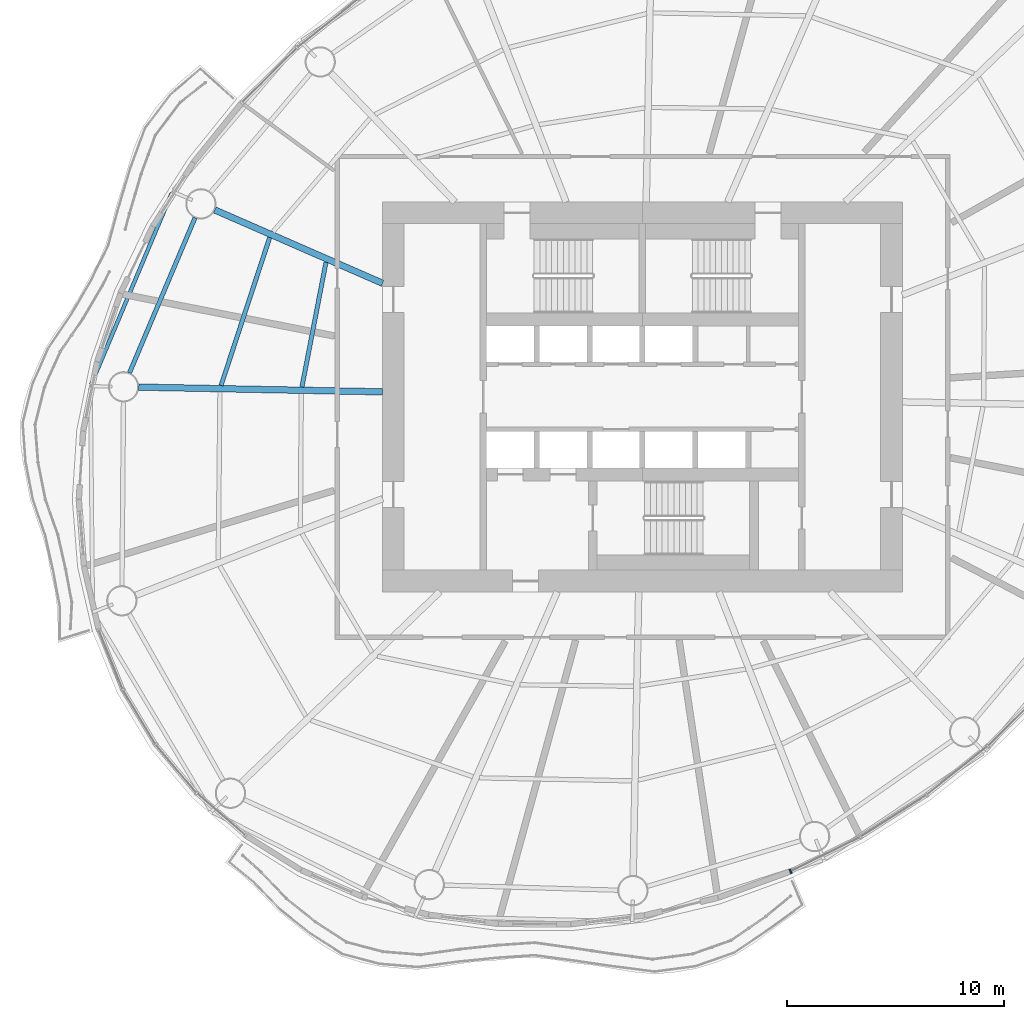
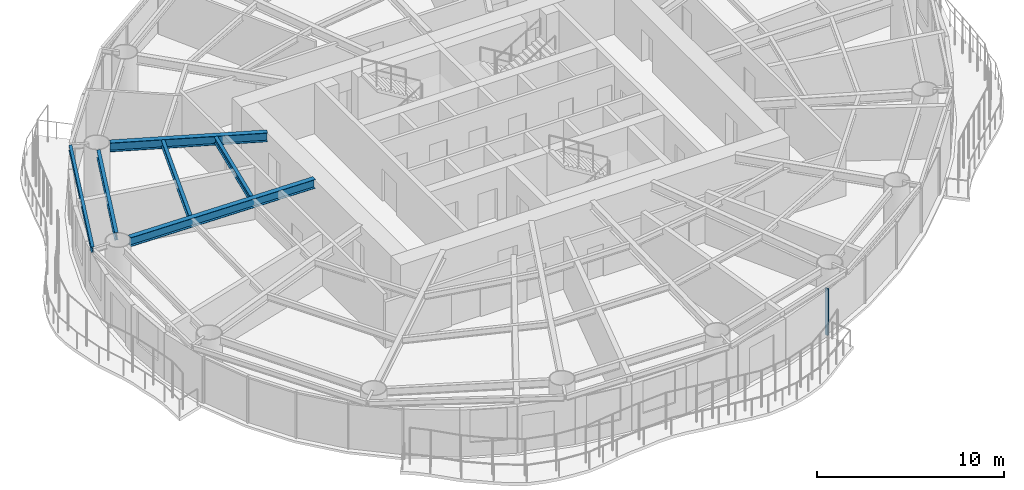
# One storey, part 3 of 15: 6 beams, 1 member, 1 element without a shape of its own.
"""IFC4 building model written with IfcOpenShell, lengths in metres."""

from ifc_helpers import new_model, si_unit, direction, frame, origin, origin_2d, place, context, subcontext, project, spatial, rectangle, i_section, extrude, material, material_profile, profile_set, type_object, element, aggregate, save


model = new_model("IFC4")

# Units and contexts
model_context = context("Model", 3, precision=1e-05, world=origin(), true_north=direction((0.0, 1.0)))
body_context = subcontext(model_context, "Body", "Model", "MODEL_VIEW")
ifc_project = project(units=[si_unit("LENGTHUNIT", "METRE"), si_unit("AREAUNIT", "SQUARE_METRE"), si_unit("VOLUMEUNIT", "CUBIC_METRE"), si_unit("PLANEANGLEUNIT", "RADIAN"), si_unit("MASSUNIT", "GRAM", prefix="KILO")], contexts=[model_context])

# Site, building, storey
site_placement = place(None, origin())
site = spatial("IfcSite", under=ifc_project, at=site_placement, CompositionType="ELEMENT")
building_placement = place(site_placement, origin())
building = spatial("IfcBuilding", under=site, at=building_placement, Name="Vermilion Reach Broadcast Tower", CompositionType="ELEMENT")
storey_placement = place(building_placement, frame((0.0, 0.0, 175.800048828125)))
storey = spatial("IfcBuildingStorey", under=building, at=storey_placement, Name="L42", CompositionType="ELEMENT", Elevation=175.800048828125)

# Beams
ifc_material_1 = material(Name="Steel S355J2", Category="steel")
ifc_material_profile_1 = material_profile(ifc_material_1, i_section(OverallWidth=0.175048828125, OverallDepth=0.35009765625, WebThickness=0.007080078125, FlangeThickness=0.010986328125, at=origin_2d()), Name="S355J2 HN 350x175x7x11")
ifc_profile_set_1 = profile_set([ifc_material_profile_1], Name="Steel S355J2")
beam_type_1 = type_object("IfcBeamType", Name="EB3 HN 350x175x7x11", PredefinedType="BEAM", material=ifc_profile_set_1)
beam_1_placement = place(storey_placement, frame((-27.7314453125, 9.4169921875, 3.224853515625), z_axis=(-0.388151349144, -0.921595643522, 0.0), x_axis=(0.921595643522, -0.388151349144, 0.0)))
element("IfcBeam", 1, at=beam_1_placement, inside=storey, type_object=beam_type_1, Name="Edge beam EB3-06", PredefinedType="BEAM", context=body_context, shape_type="SweptSolid", body=[
    extrude(i_section(OverallWidth=0.175048828125, OverallDepth=0.35009765625, WebThickness=0.007080078125, FlangeThickness=0.010986328125, at=origin_2d()), origin(), (0.0, 0.0, 1.0), 9.601318359375),
])
ifc_material_2 = material(Name="Steel S355J2", Category="steel")
ifc_material_profile_2 = material_profile(ifc_material_2, i_section(OverallWidth=0.300048828125, OverallDepth=0.587890625, WebThickness=0.011962890625, FlangeThickness=0.02001953125, at=origin_2d()), Name="S355J2 HM 588x300x12x20")
ifc_profile_set_2 = profile_set([ifc_material_profile_2], Name="Steel S355J2")
beam_type_2 = type_object("IfcBeamType", Name="G3 HM 588x300x12x20", PredefinedType="BEAM", material=ifc_profile_set_2)
beam_2_placement = place(storey_placement, frame((-18.0, 5.2451171875, 3.10595703125), z_axis=(-0.916287847036, 0.400520388213, 0.0), x_axis=(-0.400520388213, -0.916287847036, 0.0)))
element("IfcBeam", 2, at=beam_2_placement, inside=storey, type_object=beam_type_2, Name="Girder G3-06", PredefinedType="BEAM", context=body_context, shape_type="SweptSolid", body=[
    extrude(i_section(OverallWidth=0.300048828125, OverallDepth=0.587890625, WebThickness=0.011962890625, FlangeThickness=0.02001953125, at=origin_2d()), origin(), (0.0, 0.0, 1.0), 8.45458984375),
])
beam_3_placement = place(storey_placement, frame((-18.0, 0.232421875, 3.10595703125), z_axis=(-0.999812170888, 0.019380994401, 0.0), x_axis=(-0.019380994401, -0.999812170888, 0.0)))
element("IfcBeam", 3, at=beam_3_placement, inside=storey, type_object=beam_type_2, Name="Girder G3-07", PredefinedType="BEAM", context=body_context, shape_type="SweptSolid", body=[
    extrude(i_section(OverallWidth=0.300048828125, OverallDepth=0.587890625, WebThickness=0.011962890625, FlangeThickness=0.02001953125, at=origin_2d()), origin(), (0.0, 0.0, 1.0), 11.26171875),
])
ifc_material_3 = material(Name="Steel S355J2", Category="steel")
ifc_material_profile_3 = material_profile(ifc_material_3, i_section(OverallWidth=0.199951171875, OverallDepth=0.5, WebThickness=0.010009765625, FlangeThickness=0.01611328125, at=origin_2d()), Name="S355J2 HN 500x200x10x16")
ifc_profile_set_3 = profile_set([ifc_material_profile_3], Name="Steel S355J2")
beam_type_3 = type_object("IfcBeamType", Name="RB3 HN 500x200x10x16", PredefinedType="BEAM", material=ifc_profile_set_3)
beam_4_placement = place(storey_placement, frame((-26.660888671875, 8.266845703125, 3.14990234375), z_axis=(-0.389368386196, -0.921082113512, 0.0), x_axis=(0.921082113512, -0.389368386196, 0.0)))
element("IfcBeam", 4, at=beam_4_placement, inside=storey, type_object=beam_type_3, Name="Ring beam RB3-06", PredefinedType="BEAM", context=body_context, shape_type="SweptSolid", body=[
    extrude(i_section(OverallWidth=0.199951171875, OverallDepth=0.5, WebThickness=0.010009765625, FlangeThickness=0.01611328125, at=origin_2d()), origin(), (0.0, 0.0, 1.0), 7.771240234375),
])
ifc_material_4 = material(Name="Steel S355J2", Category="steel")
ifc_material_profile_4 = material_profile(ifc_material_4, i_section(OverallWidth=0.199951171875, OverallDepth=0.39990234375, WebThickness=0.008056640625, FlangeThickness=0.012939453125, at=origin_2d()), Name="S355J2 HN 400x200x8x13")
ifc_profile_set_4 = profile_set([ifc_material_profile_4], Name="Steel S355J2")
beam_type_4 = type_object("IfcBeamType", Name="SB3 HN 400x200x8x13", PredefinedType="BEAM", material=ifc_profile_set_4)
beam_5_placement = place(storey_placement, frame((-20.611328125, 6.222900390625, 3.199951171875), z_axis=(-0.189462365782, -0.981887983404, 0.0), x_axis=(0.981887983404, -0.189462365782, 0.0)))
element("IfcBeam", 5, at=beam_5_placement, inside=storey, type_object=beam_type_4, Name="Secondary beam SB3-06-1", PredefinedType="BEAM", context=body_context, shape_type="SweptSolid", body=[
    extrude(i_section(OverallWidth=0.199951171875, OverallDepth=0.39990234375, WebThickness=0.008056640625, FlangeThickness=0.012939453125, at=origin_2d()), origin(), (0.0, 0.0, 1.0), 5.874755859375),
])
beam_6_placement = place(storey_placement, frame((-23.211669921875, 7.359375, 3.199951171875), z_axis=(-0.312243016281, -0.950002262515, 0.0), x_axis=(0.950002262515, -0.312243016281, 0.0)))
element("IfcBeam", 6, at=beam_6_placement, inside=storey, type_object=beam_type_4, Name="Secondary beam SB3-06-2", PredefinedType="BEAM", context=body_context, shape_type="SweptSolid", body=[
    extrude(i_section(OverallWidth=0.199951171875, OverallDepth=0.39990234375, WebThickness=0.008056640625, FlangeThickness=0.012939453125, at=origin_2d()), origin(), (0.0, 0.0, 1.0), 7.19189453125),
])

# Curtain wall, member
ifc_material_5 = material(Name="Low-e laminated clear glass in aluminium frame", Category="aluminium")
curtain_wall_type = type_object("IfcCurtainWallType", Name="Slot curtain wall", PredefinedType="NOTDEFINED", material=ifc_material_5)
curtain_wall_placement = place(storey_placement, origin())
curtain_wall = element("IfcCurtainWall", 7, at=curtain_wall_placement, inside=storey, type_object=curtain_wall_type, Name="Slot curtain wall L42 34", PredefinedType="NOTDEFINED")
ifc_material_6 = material(Name="Anodised aluminium", Category="aluminium")
ifc_material_profile_5 = material_profile(ifc_material_6, rectangle(XDim=0.199951171875, YDim=0.080078125, at=origin_2d()), Name="Slot mullion 80 x 200")
ifc_profile_set_5 = profile_set([ifc_material_profile_5], Name="Anodised aluminium")
member_type = type_object("IfcMemberType", Name="Slot mullion 80 x 200", PredefinedType="MULLION", material=ifc_profile_set_5)
member_placement = place(storey_placement, frame((0.840087890625, -21.909912109375, 0.0), z_axis=(0.0, 0.0, 1.0), x_axis=(-0.392642122772, 0.919691341388, 0.0)))
member = element("IfcMember", 8, at=member_placement, type_object=member_type, Name="Slot mullion L42 34", PredefinedType="MULLION", context=body_context, shape_type="SweptSolid", body=[
    extrude(rectangle(XDim=0.199951171875, YDim=0.080078125, at=origin_2d()), origin(), (0.0, 0.0, 1.0), 3.050048828125),
])
aggregate(curtain_wall, [member])

save(model, "model.ifc")
